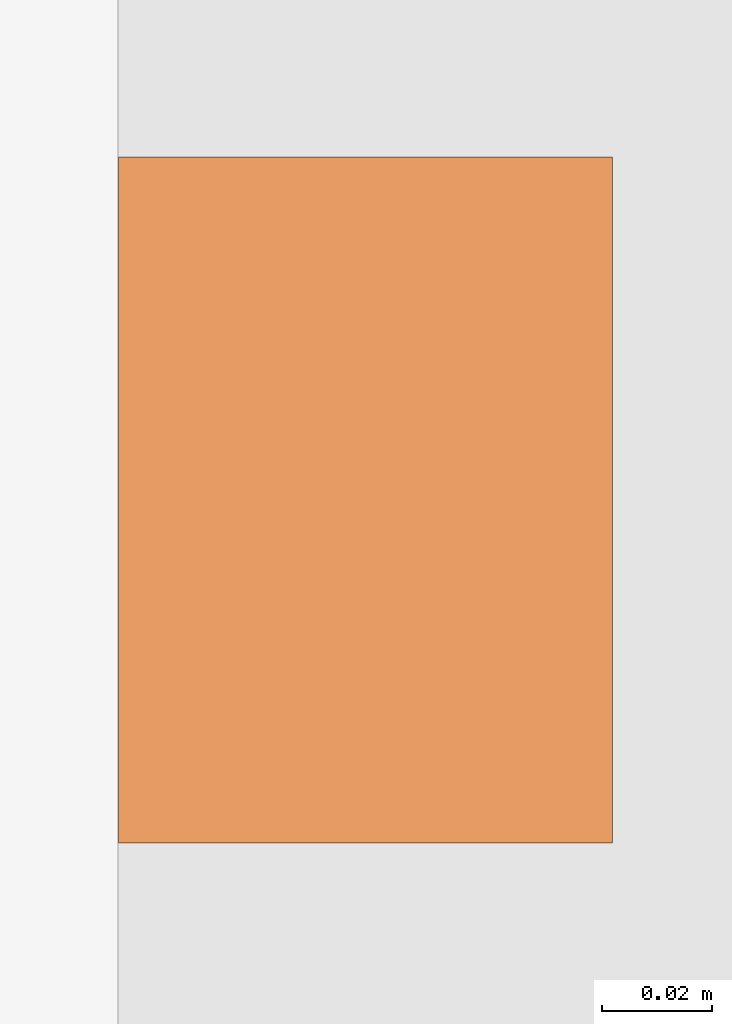
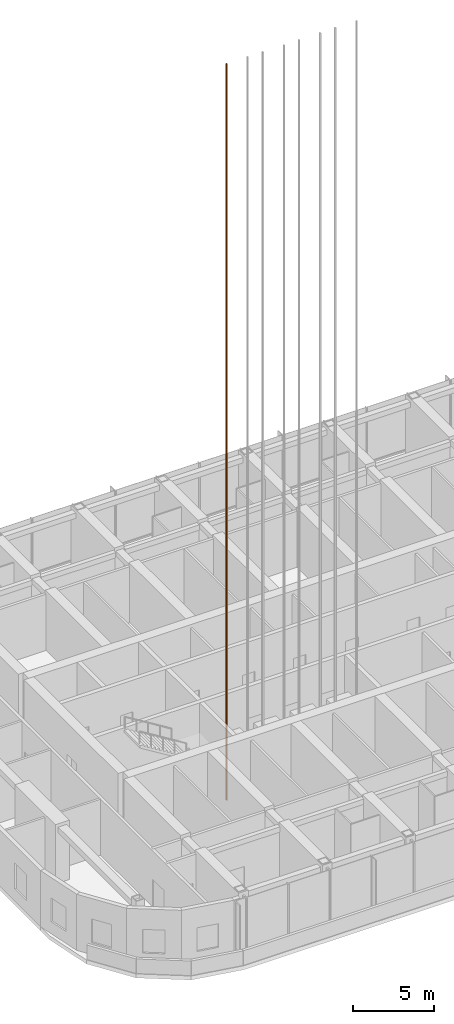
# One storey, part 28 of 35: 1 proxy.
"""IFC4 building model written with IfcOpenShell, lengths in metres."""

from ifc_helpers import new_model, si_unit, direction, frame, origin, origin_2d, place, context, subcontext, project, spatial, rectangle, extrude, material, element, save


model = new_model("IFC4")

# Units and contexts
model_context = context("Model", 3, precision=1e-05, world=origin(), true_north=direction((0.0, 1.0)))
body_context = subcontext(model_context, "Body", "Model", "MODEL_VIEW")
ifc_project = project(units=[si_unit("LENGTHUNIT", "METRE"), si_unit("AREAUNIT", "SQUARE_METRE"), si_unit("VOLUMEUNIT", "CUBIC_METRE"), si_unit("PLANEANGLEUNIT", "RADIAN"), si_unit("MASSUNIT", "GRAM", prefix="KILO")], contexts=[model_context])

# Site, building, storey
site_placement = place(None, origin())
site = spatial("IfcSite", under=ifc_project, at=site_placement, CompositionType="ELEMENT")
building_placement = place(site_placement, origin())
building = spatial("IfcBuilding", under=site, at=building_placement, Name="Orbita Commons", CompositionType="ELEMENT")
storey_placement = place(building_placement, frame((0.0, 0.0, 208.300048828125)))
storey = spatial("IfcBuildingStorey", under=building, at=storey_placement, Name="L51", CompositionType="ELEMENT", Elevation=208.300048828125)

# Proxy
ifc_material = material(Name="Machined steel guide rail", Category="steel")
placement = place(storey_placement, frame((27.300048828125, 28.10009765625, 0.0), z_axis=(0.0, 0.0, 1.0), x_axis=(1.0, 0.0, 0.0)))
proxy_placement = place(placement, frame((-0.7548828125, 0.0, -1.800048828125)))
element("IfcBuildingElementProxy", 1, at=proxy_placement, inside=storey, material=ifc_material, Name="P41 guide rail 1", ObjectType="GUIDE RAIL", PredefinedType="USERDEFINED", context=body_context, shape_type="SweptSolid", body=[
    extrude(rectangle(XDim=0.09, YDim=0.125, at=origin_2d()), origin(), (0.0, 0.0, 1.0), 55.800048828125),
])

save(model, "model.ifc")
